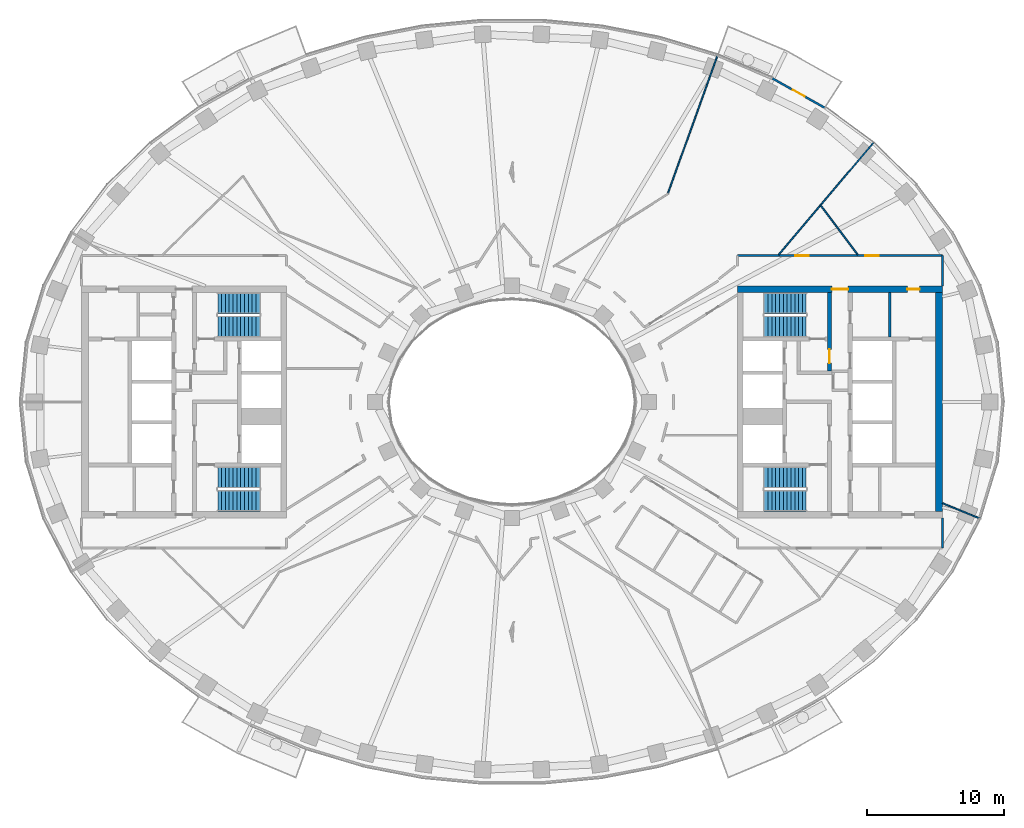
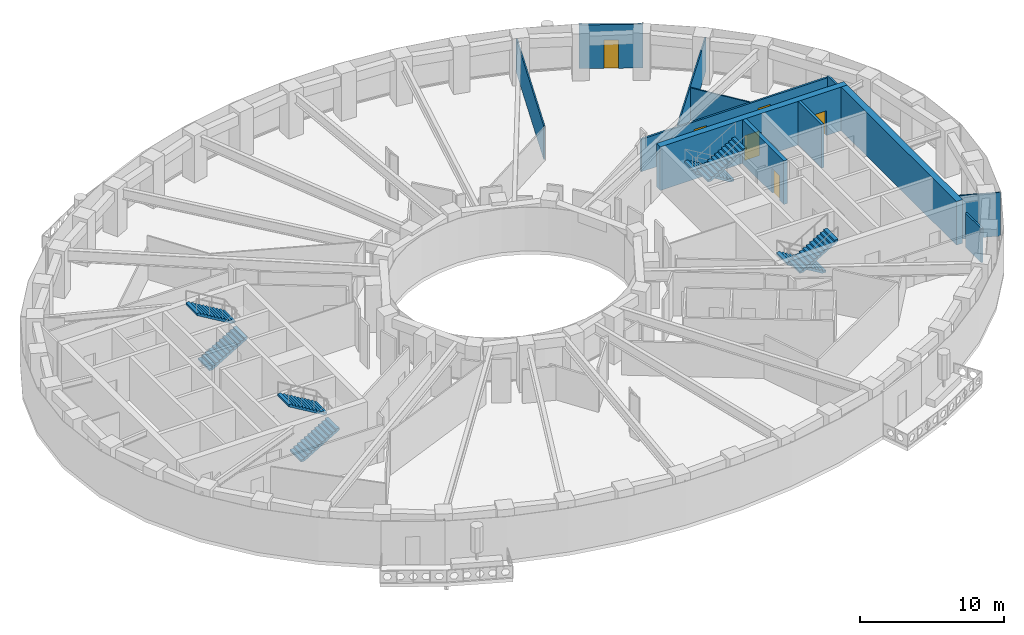
# One storey, part 7 of 15: 12 walls, 8 stair flights, 6 doors, 6 openings, 4 elements without a shape of their own.
"""IFC4 building model written with IfcOpenShell, lengths in metres."""

from ifc_helpers import new_model, si_unit, direction, frame, frame_2d, origin, place, context, subcontext, project, spatial, polyline, rectangle, outline, extrude, material, layer, layer_set, type_object, element, fill, aggregate, save


model = new_model("IFC4")

# Units and contexts
model_context = context("Model", 3, precision=1e-05, world=origin(), true_north=direction((0.0, 1.0)))
body_context = subcontext(model_context, "Body", "Model", "MODEL_VIEW")
ifc_project = project(units=[si_unit("LENGTHUNIT", "METRE"), si_unit("AREAUNIT", "SQUARE_METRE"), si_unit("VOLUMEUNIT", "CUBIC_METRE"), si_unit("PLANEANGLEUNIT", "RADIAN"), si_unit("MASSUNIT", "GRAM", prefix="KILO")], contexts=[model_context])

# Site, building, storey
site_placement = place(None, origin())
site = spatial("IfcSite", under=ifc_project, at=site_placement, CompositionType="ELEMENT")
building_placement = place(site_placement, origin())
building = spatial("IfcBuilding", under=site, at=building_placement, Name="Noorbagh Ring Tower", CompositionType="ELEMENT")
storey_placement = place(building_placement, frame((0.0, 0.0, 158.0)))
storey = spatial("IfcBuildingStorey", under=building, at=storey_placement, Name="L36", CompositionType="ELEMENT", Elevation=158.0)

# Wall
ifc_material_1 = material(Name="Gypsum board on steel studs", Category="steel")
ifc_layer_1 = layer(ifc_material_1, 0.199951171875)
ifc_layer_set_1 = layer_set([ifc_layer_1], Name="Gypsum board on steel studs")
wall_type_1 = type_object("IfcWallType", Name="CORE-PARTITION-200", PredefinedType="PARTITIONING", material=ifc_layer_set_1)
wall_1_placement = place(storey_placement, frame((27.64990234375, 4.75, 0.0), z_axis=(0.0, 0.0, 1.0), x_axis=(0.0, 1.0, 0.0)))
element("IfcWall", 1, at=wall_1_placement, inside=storey, type_object=wall_type_1, Name="Core partition E", PredefinedType="PARTITIONING", context=body_context, shape_type="SweptSolid", body=[
    extrude(rectangle(XDim=3.25, YDim=0.199951171875, at=frame_2d((1.625, 0.0))), origin(), (0.0, 0.0, 1.0), 3.699951171875),
])

# Wall, opening, door
ifc_material_2 = material(Name="Concrete C60/75", Category="concrete")
ifc_layer_2 = layer(ifc_material_2, 0.300048828125)
ifc_layer_set_2 = layer_set([ifc_layer_2], Name="Concrete C60/75")
wall_type_2 = type_object("IfcWallType", Name="CORE-WALL-300-C60-75-EI240", PredefinedType="SHEAR", material=ifc_layer_set_2)
wall_2_placement = place(storey_placement, frame((23.22998046875, 2.25, 0.0), z_axis=(0.0, 0.0, 1.0), x_axis=(0.0, 1.0, 0.0)))
wall_2 = element("IfcWall", 2, at=wall_2_placement, inside=storey, type_object=wall_type_2, Name="Core wall E", PredefinedType="SHEAR", context=body_context, shape_type="SweptSolid", body=[
    extrude(rectangle(XDim=5.75, YDim=0.300048828125, at=frame_2d((2.875, 0.0))), origin(), (0.0, 0.0, 1.0), 3.699951171875),
])
opening_1_placement = place(wall_2_placement, frame((0.60009765625, 0.0, 0.0)))
opening_1 = element("IfcOpeningElement", 3, at=opening_1_placement, cuts=wall_2, Name="Opening L36-CE10", PredefinedType="OPENING", context=body_context, shape_type="SweptSolid", body=[
    extrude(rectangle(XDim=1.0, YDim=2.10009765625, at=frame_2d((0.5, 1.050048828125))), frame((0.0, 0.16015625, 0.0), z_axis=(0.0, -1.0, 0.0), x_axis=(1.0, 0.0, 0.0)), (0.0, 0.0, 1.0), 0.320068359375),
])
ifc_material_3 = material(Name="Steel door leaf", Category="steel")
door_type_1 = type_object("IfcDoorType", Name="CORE-DOOR-DVEST", OperationType="SINGLE_SWING_LEFT", PredefinedType="DOOR", material=ifc_material_3)
door_1_placement = place(opening_1_placement, origin())
door_1 = element("IfcDoor", 4, at=door_1_placement, inside=storey, type_object=door_type_1, Name="Stair vestibule door L36-CE10", OperationType="SINGLE_SWING_RIGHT", OverallHeight=2.10009765625, OverallWidth=1.0, PredefinedType="DOOR", context=body_context, shape_type="SweptSolid", body=[
    extrude(rectangle(XDim=1.0, YDim=2.10009765625, at=frame_2d((0.5, 1.050048828125))), frame((0.0, 0.02490234375, 0.0), z_axis=(0.0, -1.0, 0.0), x_axis=(1.0, 0.0, 0.0)), (0.0, 0.0, 1.0), 0.050048828125),
])
fill(opening_1, door_1)

# Wall, openings, doors
ifc_material_4 = material(Name="Concrete C60/75", Category="concrete")
ifc_layer_3 = layer(ifc_material_4, 0.5)
ifc_layer_set_3 = layer_set([ifc_layer_3], Name="Concrete C60/75")
wall_type_3 = type_object("IfcWallType", Name="CORE-WALL-500-C60-75-EI240", PredefinedType="SHEAR", material=ifc_layer_set_3)
wall_3_placement = place(storey_placement, frame((16.5, 8.25, 0.0), z_axis=(0.0, 0.0, 1.0), x_axis=(1.0, 0.0, 0.0)))
wall_3 = element("IfcWall", 5, at=wall_3_placement, inside=storey, type_object=wall_type_3, Name="Core wall E", PredefinedType="SHEAR", context=body_context, shape_type="SweptSolid", body=[
    extrude(rectangle(XDim=15.0, YDim=0.5, at=frame_2d((7.5, 0.0))), origin(), (0.0, 0.0, 1.0), 3.699951171875),
])
opening_2_placement = place(wall_3_placement, frame((6.89990234375, 0.0, 0.0)))
opening_2 = element("IfcOpeningElement", 6, at=opening_2_placement, cuts=wall_3, Name="Opening L36-CE11", PredefinedType="OPENING", context=body_context, shape_type="SweptSolid", body=[
    extrude(rectangle(XDim=1.199951171875, YDim=2.10009765625, at=frame_2d((0.60009765625, 1.050048828125))), frame((0.0, 0.260009765625, 0.0), z_axis=(0.0, -1.0, 0.0), x_axis=(1.0, 0.0, 0.0)), (0.0, 0.0, 1.0), 0.52001953125),
])
opening_3_placement = place(wall_3_placement, frame((12.425048828125, 0.0, 0.0)))
opening_3 = element("IfcOpeningElement", 7, at=opening_3_placement, cuts=wall_3, Name="Opening L36-CE14", PredefinedType="OPENING", context=body_context, shape_type="SweptSolid", body=[
    extrude(rectangle(XDim=0.89990234375, YDim=2.10009765625, at=frame_2d((0.449951171875, 1.050048828125))), frame((0.0, 0.260009765625, 0.0), z_axis=(0.0, -1.0, 0.0), x_axis=(1.0, 0.0, 0.0)), (0.0, 0.0, 1.0), 0.52001953125),
])
ifc_material_5 = material(Name="Steel door leaf", Category="steel")
door_type_2 = type_object("IfcDoorType", Name="CORE-DOOR-DROOM", OperationType="SINGLE_SWING_LEFT", PredefinedType="DOOR", material=ifc_material_5)
door_2_placement = place(opening_3_placement, origin())
door_2 = element("IfcDoor", 8, at=door_2_placement, inside=storey, type_object=door_type_2, Name="Core room door L36-CE14", OperationType="SINGLE_SWING_LEFT", OverallHeight=2.10009765625, OverallWidth=0.89990234375, PredefinedType="DOOR", context=body_context, shape_type="SweptSolid", body=[
    extrude(rectangle(XDim=0.89990234375, YDim=2.10009765625, at=frame_2d((0.449951171875, 1.050048828125))), frame((0.0, 0.02490234375, 0.0), z_axis=(0.0, -1.0, 0.0), x_axis=(1.0, 0.0, 0.0)), (0.0, 0.0, 1.0), 0.050048828125),
])
fill(opening_3, door_2)
ifc_material_6 = material(Name="Steel door leaf", Category="steel")
door_type_3 = type_object("IfcDoorType", Name="CORE-DOOR-PORT", OperationType="DOUBLE_DOOR_DOUBLE_SWING", PredefinedType="DOOR", material=ifc_material_6)
door_3_placement = place(opening_2_placement, origin())
door_3 = element("IfcDoor", 9, at=door_3_placement, inside=storey, type_object=door_type_3, Name="Core entrance door L36-CE11", OperationType="DOUBLE_DOOR_DOUBLE_SWING", OverallHeight=2.10009765625, OverallWidth=1.199951171875, PredefinedType="DOOR", context=body_context, shape_type="SweptSolid", body=[
    extrude(rectangle(XDim=1.199951171875, YDim=2.10009765625, at=frame_2d((0.60009765625, 1.050048828125))), frame((0.0, 0.02490234375, 0.0), z_axis=(0.0, -1.0, 0.0), x_axis=(1.0, 0.0, 0.0)), (0.0, 0.0, 1.0), 0.050048828125),
])
fill(opening_2, door_3)

# Wall
wall_4_placement = place(storey_placement, frame((31.25, -8.0, 0.0), z_axis=(0.0, 0.0, 1.0), x_axis=(0.0, 1.0, 0.0)))
element("IfcWall", 10, at=wall_4_placement, inside=storey, type_object=wall_type_3, Name="Core wall E", PredefinedType="SHEAR", context=body_context, shape_type="SweptSolid", body=[
    extrude(rectangle(XDim=16.0, YDim=0.5, at=frame_2d((8.0, 0.0))), origin(), (0.0, 0.0, 1.0), 3.699951171875),
])

# Wall, openings, doors
ifc_material_7 = material(Name="Gypsum board on steel studs", Category="steel")
ifc_layer_4 = layer(ifc_material_7, 0.14990234375)
ifc_layer_set_4 = layer_set([ifc_layer_4], Name="Gypsum board on steel studs")
wall_type_4 = type_object("IfcWallType", Name="CORRIDOR PARTITION 150 EI 30", PredefinedType="PARTITIONING", material=ifc_layer_set_4)
wall_5_placement = place(storey_placement, frame((16.5, 10.699951171875, 0.0), z_axis=(0.0, 0.0, 1.0), x_axis=(1.0, 0.0, 0.0)))
wall_5 = element("IfcWall", 11, at=wall_5_placement, inside=storey, type_object=wall_type_4, Name="L36/wall/P82", PredefinedType="PARTITIONING", context=body_context, shape_type="SweptSolid", body=[
    extrude(rectangle(XDim=15.0, YDim=0.14990234375, at=frame_2d((7.5, 0.0))), origin(), (0.0, 0.0, 1.0), 2.75),
])
opening_4_placement = place(wall_5_placement, frame((4.2109375, 0.0, 0.0)))
opening_4 = element("IfcOpeningElement", 12, at=opening_4_placement, cuts=wall_5, Name="Opening D1", PredefinedType="OPENING", context=body_context, shape_type="SweptSolid", body=[
    extrude(rectangle(XDim=1.0, YDim=2.10009765625, at=frame_2d((0.5, 1.050048828125))), frame((0.0, 0.0849609375, 0.0), z_axis=(0.0, -1.0, 0.0), x_axis=(1.0, 0.0, 0.0)), (0.0, 0.0, 1.0), 0.169921875),
])
opening_5_placement = place(wall_5_placement, frame((9.35009765625, 0.0, 0.0)))
opening_5 = element("IfcOpeningElement", 13, at=opening_5_placement, cuts=wall_5, Name="Opening D1", PredefinedType="OPENING", context=body_context, shape_type="SweptSolid", body=[
    extrude(rectangle(XDim=1.0, YDim=2.10009765625, at=frame_2d((0.5, 1.050048828125))), frame((0.0, 0.0849609375, 0.0), z_axis=(0.0, -1.0, 0.0), x_axis=(1.0, 0.0, 0.0)), (0.0, 0.0, 1.0), 0.169921875),
])
ifc_material_8 = material(Name="Timber, painted", Category="wood")
door_type_4 = type_object("IfcDoorType", Name="DOOR 1000 X 2100 FD30", OperationType="SINGLE_SWING_LEFT", PredefinedType="DOOR", material=ifc_material_8)
door_4_placement = place(opening_4_placement, origin())
door_4 = element("IfcDoor", 14, at=door_4_placement, inside=storey, type_object=door_type_4, Name="L36-D14", OperationType="SINGLE_SWING_RIGHT", OverallHeight=2.10009765625, OverallWidth=1.0, PredefinedType="DOOR", context=body_context, shape_type="SweptSolid", body=[
    extrude(rectangle(XDim=1.0, YDim=2.10009765625, at=frame_2d((0.5, 1.050048828125))), frame((0.0, 0.02490234375, 0.0), z_axis=(0.0, -1.0, 0.0), x_axis=(1.0, 0.0, 0.0)), (0.0, 0.0, 1.0), 0.050048828125),
])
fill(opening_4, door_4)
door_5_placement = place(opening_5_placement, origin())
door_5 = element("IfcDoor", 15, at=door_5_placement, inside=storey, type_object=door_type_4, Name="L36-D16", OperationType="SINGLE_SWING_RIGHT", OverallHeight=2.10009765625, OverallWidth=1.0, PredefinedType="DOOR", context=body_context, shape_type="SweptSolid", body=[
    extrude(rectangle(XDim=1.0, YDim=2.10009765625, at=frame_2d((0.5, 1.050048828125))), frame((0.0, 0.02490234375, 0.0), z_axis=(0.0, -1.0, 0.0), x_axis=(1.0, 0.0, 0.0)), (0.0, 0.0, 1.0), 0.050048828125),
])
fill(opening_5, door_5)

# Walls
for number, where, z_axis, x_axis, name in (
    (16, (31.5, -10.699951171875, 0.0), (0.0, 0.0, 1.0), (0.0, 1.0, 0.0), "L36/wall/P88"),
    (17, (31.5, 8.5, 0.0), (0.0, 0.0, 1.0), (0.0, 1.0, 0.0), "L36/wall/P90"),
):
    element("IfcWall", number, at=place(storey_placement, frame(where, z_axis=z_axis, x_axis=x_axis)), inside=storey, type_object=wall_type_4, Name=name, PredefinedType="PARTITIONING", context=body_context, shape_type="SweptSolid", body=[
        extrude(rectangle(XDim=2.199951171875, YDim=0.14990234375, at=frame_2d((1.10009765625, 0.0))), origin(), (0.0, 0.0, 1.0), 2.89990234375),
    ])

# Wall, opening, door
ifc_material_9 = material(Name="Insulated aluminium clad panel", Category="aluminium")
ifc_layer_5 = layer(ifc_material_9, 0.14990234375)
ifc_layer_set_5 = layer_set([ifc_layer_5], Name="Insulated aluminium clad panel")
wall_type_5 = type_object("IfcWallType", Name="ENV-WALL-DOOR", PredefinedType="STANDARD", material=ifc_layer_set_5)
wall_6_placement = place(storey_placement, frame((22.913330078125, 21.508544921875, 0.0), z_axis=(0.0, 0.0, 1.0), x_axis=(-0.872046572975, 0.489422899509, 0.0)))
wall_6 = element("IfcWall", 18, at=wall_6_placement, inside=storey, type_object=wall_type_5, Name="Balcony door wall chord 07", PredefinedType="STANDARD", context=body_context, shape_type="SweptSolid", body=[
    extrude(rectangle(XDim=4.425537109375, YDim=0.14990234375, at=frame_2d((2.212890625, 0.0))), origin(), (0.0, 0.0, 1.0), 3.699951171875),
])
opening_6_placement = place(wall_6_placement, frame((1.712646484375, 0.0, 0.0)))
opening_6 = element("IfcOpeningElement", 19, at=opening_6_placement, cuts=wall_6, Name="Opening D-BL", PredefinedType="OPENING", context=body_context, shape_type="SweptSolid", body=[
    extrude(rectangle(XDim=1.0, YDim=2.39990234375, at=frame_2d((0.5, 1.199951171875))), frame((0.0, 0.0849609375, 0.0), z_axis=(0.0, -1.0, 0.0), x_axis=(1.0, 0.0, 0.0)), (0.0, 0.0, 1.0), 0.169921875),
])
ifc_material_10 = material(Name="Aluminium and glass", Category="aluminium")
door_type_5 = type_object("IfcDoorType", Name="ENV-DOOR-BALCONY", OperationType="SINGLE_SWING_LEFT", PredefinedType="DOOR", material=ifc_material_10)
door_6_placement = place(opening_6_placement, origin())
door_6 = element("IfcDoor", 20, at=door_6_placement, inside=storey, type_object=door_type_5, Name="Balcony door chord 07", OperationType="SINGLE_SWING_LEFT", OverallHeight=2.39990234375, OverallWidth=1.0, PredefinedType="DOOR", context=body_context, shape_type="SweptSolid", body=[
    extrude(rectangle(XDim=1.0, YDim=2.39990234375, at=frame_2d((0.5, 1.199951171875))), frame((0.0, 0.02490234375, 0.0), z_axis=(0.0, -1.0, 0.0), x_axis=(1.0, 0.0, 0.0)), (0.0, 0.0, 1.0), 0.050048828125),
])
fill(opening_6, door_6)

# Walls
ifc_material_11 = material(Name="Gypsum board on steel studs", Category="steel")
ifc_layer_6 = layer(ifc_material_11, 0.10009765625)
ifc_layer_set_6 = layer_set([ifc_layer_6], Name="Gypsum board on steel studs")
wall_type_6 = type_object("IfcWallType", Name="PARTITION 100 GYPSUM", PredefinedType="PARTITIONING", material=ifc_layer_set_6)
wall_7_placement = place(storey_placement, frame((11.4169921875, 15.281982421875, 0.0), z_axis=(0.0, 0.0, 1.0), x_axis=(0.338283704349, 0.941044172912, 0.0)))
element("IfcWall", 21, at=wall_7_placement, inside=storey, type_object=wall_type_6, Name="L36/wall/P72", PredefinedType="PARTITIONING", context=body_context, shape_type="SweptSolid", body=[
    extrude(rectangle(XDim=10.73388671875, YDim=0.10009765625, at=frame_2d((5.366943359375, 0.0))), origin(), (0.0, 0.0, 1.0), 2.85009765625),
])
wall_8_placement = place(storey_placement, frame((19.510986328125, 10.778076171875, 0.0), z_axis=(0.0, 0.0, 1.0), x_axis=(0.646400187952, 0.762998556365, 0.0)))
element("IfcWall", 22, at=wall_8_placement, inside=storey, type_object=wall_type_6, Name="L36/wall/P85", PredefinedType="PARTITIONING", context=body_context, shape_type="SweptSolid", body=[
    extrude(rectangle(XDim=10.703857421875, YDim=0.10009765625, at=frame_2d((5.35205078125, 0.0))), origin(), (0.0, 0.0, 1.0), 2.89990234375),
])
wall_9_placement = place(storey_placement, frame((22.60595703125, 14.35400390625, 0.0), z_axis=(0.0, 0.0, 1.0), x_axis=(0.602012984229, -0.798486297202, 0.0)))
element("IfcWall", 23, at=wall_9_placement, inside=storey, type_object=wall_type_6, Name="L36/wall/P87", PredefinedType="PARTITIONING", context=body_context, shape_type="SweptSolid", body=[
    extrude(rectangle(XDim=4.478271484375, YDim=0.10009765625, at=frame_2d((2.2392578125, 0.0))), origin(), (0.0, 0.0, 1.0), 2.75),
])
wall_10_placement = place(storey_placement, frame((31.5, -7.409912109375, 0.0), z_axis=(0.0, 0.0, 1.0), x_axis=(0.925344112436, -0.379128307542, 0.0)))
element("IfcWall", 24, at=wall_10_placement, inside=storey, type_object=wall_type_6, Name="L36/wall/P89", PredefinedType="PARTITIONING", context=body_context, shape_type="SweptSolid", body=[
    extrude(rectangle(XDim=2.954345703125, YDim=0.10009765625, at=frame_2d((1.47705078125, 0.0))), origin(), (0.0, 0.0, 1.0), 3.699951171875),
])

# Stair, stair flights
ifc_material_12 = material(Name="Concrete C40/50", Category="concrete")
stair_type = type_object("IfcStairType", Name="CORE-STAIR", PredefinedType="HALF_TURN_STAIR", material=ifc_material_12)
stair_1_placement = place(storey_placement, origin())
stair_1 = element("IfcStair", 25, at=stair_1_placement, inside=storey, type_object=stair_type, Name="L36 Exit stair ST1", PredefinedType="HALF_TURN_STAIR")
ifc_material_13 = material(Name="Concrete C40/50", Category="concrete")
stair_flight_type = type_object("IfcStairFlightType", Name="CORE-STAIR-FLIGHT", PredefinedType="STRAIGHT", material=ifc_material_13)
stair_flight_1_placement = place(storey_placement, frame((-21.530029296875, 5.52490234375, 0.0), z_axis=(0.0, 0.0, 1.0), x_axis=(1.0, 0.0, 0.0)))
stair_flight_1 = element("IfcStairFlight", 26, at=stair_flight_1_placement, type_object=stair_flight_type, Name="ST1 flight 1", NumberOfRisers=12, NumberOfTreads=11, PredefinedType="STRAIGHT", RiserHeight=0.166666667, TreadLength=0.28, context=body_context, shape_type="SweptSolid", body=[
    extrude(outline(polyline([(0.0, 0.0), (0.0, 0.166748046875), (0.280029296875, 0.166748046875), (0.280029296875, 0.333251953125), (0.56005859375, 0.333251953125), (0.56005859375, 0.5), (0.840087890625, 0.5), (0.840087890625, 0.666748046875), (1.1201171875, 0.666748046875), (1.1201171875, 0.833251953125), (1.39990234375, 0.833251953125), (1.39990234375, 1.0), (1.679931640625, 1.0), (1.679931640625, 1.166748046875), (1.9599609375, 1.166748046875), (1.9599609375, 1.333251953125), (2.239990234375, 1.333251953125), (2.239990234375, 1.5), (2.52001953125, 1.5), (2.52001953125, 1.666748046875), (2.800048828125, 1.666748046875), (2.800048828125, 1.833251953125), (3.080078125, 1.833251953125), (3.080078125, 2.0), (3.080078125, 1.658935546875), (0.29296875, 0.0), (0.0, 0.0)])), frame((0.0, 0.77490234375, 0.0), z_axis=(0.0, -1.0, 0.0), x_axis=(1.0, 0.0, 0.0)), (0.0, 0.0, 1.0), 1.550048828125),
])
stair_flight_2_placement = place(storey_placement, frame((-18.449951171875, 7.22509765625, 2.0), z_axis=(0.0, 0.0, 1.0), x_axis=(-1.0, 0.0, 0.0)))
stair_flight_2 = element("IfcStairFlight", 27, at=stair_flight_2_placement, type_object=stair_flight_type, Name="ST1 flight 2", NumberOfRisers=12, NumberOfTreads=11, PredefinedType="STRAIGHT", RiserHeight=0.166666667, TreadLength=0.28, context=body_context, shape_type="SweptSolid", body=[
    extrude(outline(polyline([(0.0, 0.0), (0.0, 0.166748046875), (0.280029296875, 0.166748046875), (0.280029296875, 0.333251953125), (0.56005859375, 0.333251953125), (0.56005859375, 0.5), (0.840087890625, 0.5), (0.840087890625, 0.666748046875), (1.1201171875, 0.666748046875), (1.1201171875, 0.833251953125), (1.39990234375, 0.833251953125), (1.39990234375, 1.0), (1.679931640625, 1.0), (1.679931640625, 1.166748046875), (1.9599609375, 1.166748046875), (1.9599609375, 1.333251953125), (2.239990234375, 1.333251953125), (2.239990234375, 1.5), (2.52001953125, 1.5), (2.52001953125, 1.666748046875), (2.800048828125, 1.666748046875), (2.800048828125, 1.833251953125), (3.080078125, 1.833251953125), (3.080078125, 2.0), (3.080078125, 1.658935546875), (0.29296875, 0.0), (0.0, 0.0)])), frame((0.0, 0.77490234375, 0.0), z_axis=(0.0, -1.0, 0.0), x_axis=(1.0, 0.0, 0.0)), (0.0, 0.0, 1.0), 1.550048828125),
])
aggregate(stair_1, [stair_flight_1, stair_flight_2])

stair_2_placement = place(storey_placement, origin())
stair_2 = element("IfcStair", 28, at=stair_2_placement, inside=storey, type_object=stair_type, Name="L36 Exit stair ST2", PredefinedType="HALF_TURN_STAIR")
stair_flight_3_placement = place(storey_placement, frame((-21.530029296875, -7.22509765625, 0.0), z_axis=(0.0, 0.0, 1.0), x_axis=(1.0, 0.0, 0.0)))
stair_flight_3 = element("IfcStairFlight", 29, at=stair_flight_3_placement, type_object=stair_flight_type, Name="ST2 flight 1", NumberOfRisers=12, NumberOfTreads=11, PredefinedType="STRAIGHT", RiserHeight=0.166666667, TreadLength=0.28, context=body_context, shape_type="SweptSolid", body=[
    extrude(outline(polyline([(0.0, 0.0), (0.0, 0.166748046875), (0.280029296875, 0.166748046875), (0.280029296875, 0.333251953125), (0.56005859375, 0.333251953125), (0.56005859375, 0.5), (0.840087890625, 0.5), (0.840087890625, 0.666748046875), (1.1201171875, 0.666748046875), (1.1201171875, 0.833251953125), (1.39990234375, 0.833251953125), (1.39990234375, 1.0), (1.679931640625, 1.0), (1.679931640625, 1.166748046875), (1.9599609375, 1.166748046875), (1.9599609375, 1.333251953125), (2.239990234375, 1.333251953125), (2.239990234375, 1.5), (2.52001953125, 1.5), (2.52001953125, 1.666748046875), (2.800048828125, 1.666748046875), (2.800048828125, 1.833251953125), (3.080078125, 1.833251953125), (3.080078125, 2.0), (3.080078125, 1.658935546875), (0.29296875, 0.0), (0.0, 0.0)])), frame((0.0, 0.77490234375, 0.0), z_axis=(0.0, -1.0, 0.0), x_axis=(1.0, 0.0, 0.0)), (0.0, 0.0, 1.0), 1.550048828125),
])
stair_flight_4_placement = place(storey_placement, frame((-18.449951171875, -5.52490234375, 2.0), z_axis=(0.0, 0.0, 1.0), x_axis=(-1.0, 0.0, 0.0)))
stair_flight_4 = element("IfcStairFlight", 30, at=stair_flight_4_placement, type_object=stair_flight_type, Name="ST2 flight 2", NumberOfRisers=12, NumberOfTreads=11, PredefinedType="STRAIGHT", RiserHeight=0.166666667, TreadLength=0.28, context=body_context, shape_type="SweptSolid", body=[
    extrude(outline(polyline([(0.0, 0.0), (0.0, 0.166748046875), (0.280029296875, 0.166748046875), (0.280029296875, 0.333251953125), (0.56005859375, 0.333251953125), (0.56005859375, 0.5), (0.840087890625, 0.5), (0.840087890625, 0.666748046875), (1.1201171875, 0.666748046875), (1.1201171875, 0.833251953125), (1.39990234375, 0.833251953125), (1.39990234375, 1.0), (1.679931640625, 1.0), (1.679931640625, 1.166748046875), (1.9599609375, 1.166748046875), (1.9599609375, 1.333251953125), (2.239990234375, 1.333251953125), (2.239990234375, 1.5), (2.52001953125, 1.5), (2.52001953125, 1.666748046875), (2.800048828125, 1.666748046875), (2.800048828125, 1.833251953125), (3.080078125, 1.833251953125), (3.080078125, 2.0), (3.080078125, 1.658935546875), (0.29296875, 0.0), (0.0, 0.0)])), frame((0.0, 0.77490234375, 0.0), z_axis=(0.0, -1.0, 0.0), x_axis=(1.0, 0.0, 0.0)), (0.0, 0.0, 1.0), 1.550048828125),
])
aggregate(stair_2, [stair_flight_3, stair_flight_4])

stair_3_placement = place(storey_placement, origin())
stair_3 = element("IfcStair", 31, at=stair_3_placement, inside=storey, type_object=stair_type, Name="L36 Exit stair ST3", PredefinedType="HALF_TURN_STAIR")
stair_flight_5_placement = place(storey_placement, frame((21.530029296875, 7.22509765625, 0.0), z_axis=(0.0, 0.0, 1.0), x_axis=(-1.0, 0.0, 0.0)))
stair_flight_5 = element("IfcStairFlight", 32, at=stair_flight_5_placement, type_object=stair_flight_type, Name="ST3 flight 1", NumberOfRisers=12, NumberOfTreads=11, PredefinedType="STRAIGHT", RiserHeight=0.166666667, TreadLength=0.28, context=body_context, shape_type="SweptSolid", body=[
    extrude(outline(polyline([(0.0, 0.0), (0.0, 0.166748046875), (0.280029296875, 0.166748046875), (0.280029296875, 0.333251953125), (0.56005859375, 0.333251953125), (0.56005859375, 0.5), (0.840087890625, 0.5), (0.840087890625, 0.666748046875), (1.1201171875, 0.666748046875), (1.1201171875, 0.833251953125), (1.39990234375, 0.833251953125), (1.39990234375, 1.0), (1.679931640625, 1.0), (1.679931640625, 1.166748046875), (1.9599609375, 1.166748046875), (1.9599609375, 1.333251953125), (2.239990234375, 1.333251953125), (2.239990234375, 1.5), (2.52001953125, 1.5), (2.52001953125, 1.666748046875), (2.800048828125, 1.666748046875), (2.800048828125, 1.833251953125), (3.080078125, 1.833251953125), (3.080078125, 2.0), (3.080078125, 1.658935546875), (0.29296875, 0.0), (0.0, 0.0)])), frame((0.0, 0.77490234375, 0.0), z_axis=(0.0, -1.0, 0.0), x_axis=(1.0, 0.0, 0.0)), (0.0, 0.0, 1.0), 1.550048828125),
])
stair_flight_6_placement = place(storey_placement, frame((18.449951171875, 5.52490234375, 2.0), z_axis=(0.0, 0.0, 1.0), x_axis=(1.0, 0.0, 0.0)))
stair_flight_6 = element("IfcStairFlight", 33, at=stair_flight_6_placement, type_object=stair_flight_type, Name="ST3 flight 2", NumberOfRisers=12, NumberOfTreads=11, PredefinedType="STRAIGHT", RiserHeight=0.166666667, TreadLength=0.28, context=body_context, shape_type="SweptSolid", body=[
    extrude(outline(polyline([(0.0, 0.0), (0.0, 0.166748046875), (0.280029296875, 0.166748046875), (0.280029296875, 0.333251953125), (0.56005859375, 0.333251953125), (0.56005859375, 0.5), (0.840087890625, 0.5), (0.840087890625, 0.666748046875), (1.1201171875, 0.666748046875), (1.1201171875, 0.833251953125), (1.39990234375, 0.833251953125), (1.39990234375, 1.0), (1.679931640625, 1.0), (1.679931640625, 1.166748046875), (1.9599609375, 1.166748046875), (1.9599609375, 1.333251953125), (2.239990234375, 1.333251953125), (2.239990234375, 1.5), (2.52001953125, 1.5), (2.52001953125, 1.666748046875), (2.800048828125, 1.666748046875), (2.800048828125, 1.833251953125), (3.080078125, 1.833251953125), (3.080078125, 2.0), (3.080078125, 1.658935546875), (0.29296875, 0.0), (0.0, 0.0)])), frame((0.0, 0.77490234375, 0.0), z_axis=(0.0, -1.0, 0.0), x_axis=(1.0, 0.0, 0.0)), (0.0, 0.0, 1.0), 1.550048828125),
])
aggregate(stair_3, [stair_flight_5, stair_flight_6])

stair_4_placement = place(storey_placement, origin())
stair_4 = element("IfcStair", 34, at=stair_4_placement, inside=storey, type_object=stair_type, Name="L36 Exit stair ST4", PredefinedType="HALF_TURN_STAIR")
stair_flight_7_placement = place(storey_placement, frame((21.530029296875, -5.52490234375, 0.0), z_axis=(0.0, 0.0, 1.0), x_axis=(-1.0, 0.0, 0.0)))
stair_flight_7 = element("IfcStairFlight", 35, at=stair_flight_7_placement, type_object=stair_flight_type, Name="ST4 flight 1", NumberOfRisers=12, NumberOfTreads=11, PredefinedType="STRAIGHT", RiserHeight=0.166666667, TreadLength=0.28, context=body_context, shape_type="SweptSolid", body=[
    extrude(outline(polyline([(0.0, 0.0), (0.0, 0.166748046875), (0.280029296875, 0.166748046875), (0.280029296875, 0.333251953125), (0.56005859375, 0.333251953125), (0.56005859375, 0.5), (0.840087890625, 0.5), (0.840087890625, 0.666748046875), (1.1201171875, 0.666748046875), (1.1201171875, 0.833251953125), (1.39990234375, 0.833251953125), (1.39990234375, 1.0), (1.679931640625, 1.0), (1.679931640625, 1.166748046875), (1.9599609375, 1.166748046875), (1.9599609375, 1.333251953125), (2.239990234375, 1.333251953125), (2.239990234375, 1.5), (2.52001953125, 1.5), (2.52001953125, 1.666748046875), (2.800048828125, 1.666748046875), (2.800048828125, 1.833251953125), (3.080078125, 1.833251953125), (3.080078125, 2.0), (3.080078125, 1.658935546875), (0.29296875, 0.0), (0.0, 0.0)])), frame((0.0, 0.77490234375, 0.0), z_axis=(0.0, -1.0, 0.0), x_axis=(1.0, 0.0, 0.0)), (0.0, 0.0, 1.0), 1.550048828125),
])
stair_flight_8_placement = place(storey_placement, frame((18.449951171875, -7.22509765625, 2.0), z_axis=(0.0, 0.0, 1.0), x_axis=(1.0, 0.0, 0.0)))
stair_flight_8 = element("IfcStairFlight", 36, at=stair_flight_8_placement, type_object=stair_flight_type, Name="ST4 flight 2", NumberOfRisers=12, NumberOfTreads=11, PredefinedType="STRAIGHT", RiserHeight=0.166666667, TreadLength=0.28, context=body_context, shape_type="SweptSolid", body=[
    extrude(outline(polyline([(0.0, 0.0), (0.0, 0.166748046875), (0.280029296875, 0.166748046875), (0.280029296875, 0.333251953125), (0.56005859375, 0.333251953125), (0.56005859375, 0.5), (0.840087890625, 0.5), (0.840087890625, 0.666748046875), (1.1201171875, 0.666748046875), (1.1201171875, 0.833251953125), (1.39990234375, 0.833251953125), (1.39990234375, 1.0), (1.679931640625, 1.0), (1.679931640625, 1.166748046875), (1.9599609375, 1.166748046875), (1.9599609375, 1.333251953125), (2.239990234375, 1.333251953125), (2.239990234375, 1.5), (2.52001953125, 1.5), (2.52001953125, 1.666748046875), (2.800048828125, 1.666748046875), (2.800048828125, 1.833251953125), (3.080078125, 1.833251953125), (3.080078125, 2.0), (3.080078125, 1.658935546875), (0.29296875, 0.0), (0.0, 0.0)])), frame((0.0, 0.77490234375, 0.0), z_axis=(0.0, -1.0, 0.0), x_axis=(1.0, 0.0, 0.0)), (0.0, 0.0, 1.0), 1.550048828125),
])
aggregate(stair_4, [stair_flight_7, stair_flight_8])

save(model, "model.ifc")
